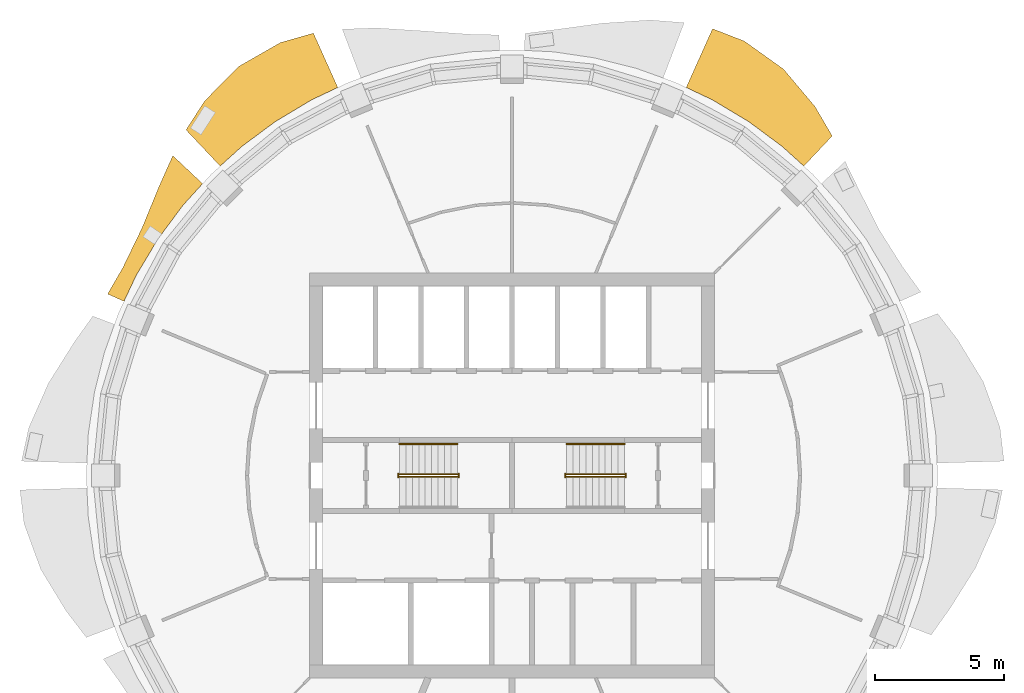
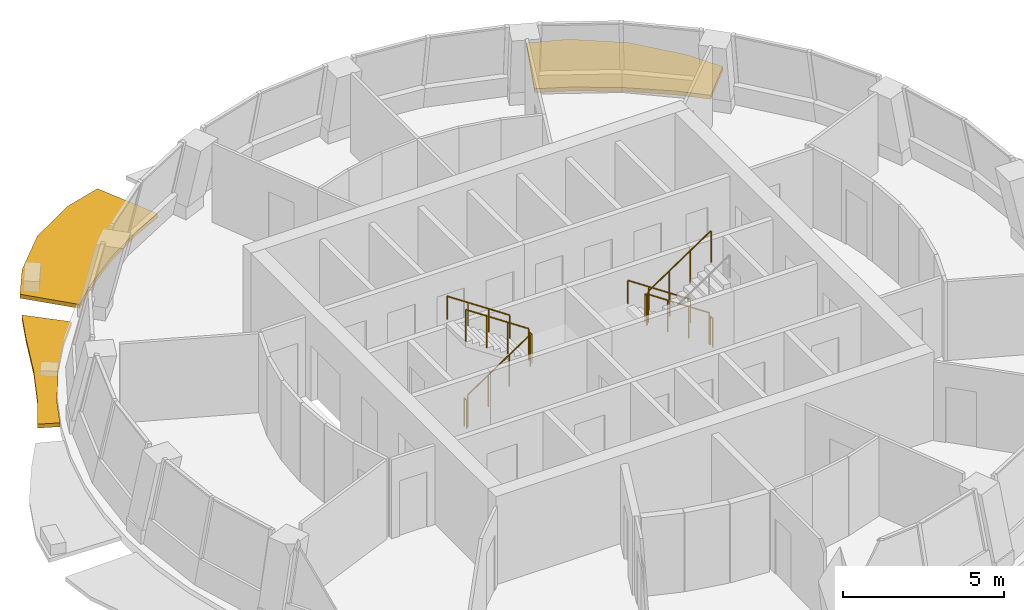
# One storey, part 9 of 11: 10 railings, 3 shading devices.
"""IFC4 building model written with IfcOpenShell, lengths in metres."""

from ifc_helpers import new_model, si_unit, direction, frame, origin, origin_2d, place, context, subcontext, project, spatial, polyline, circle, outline, extrude, material, type_object, element, save


model = new_model("IFC4")

# Units and contexts
model_context = context("Model", 3, precision=1e-05, world=origin(), true_north=direction((0.0, 1.0)))
body_context = subcontext(model_context, "Body", "Model", "MODEL_VIEW")
ifc_project = project(units=[si_unit("LENGTHUNIT", "METRE"), si_unit("AREAUNIT", "SQUARE_METRE"), si_unit("VOLUMEUNIT", "CUBIC_METRE"), si_unit("PLANEANGLEUNIT", "RADIAN"), si_unit("MASSUNIT", "GRAM", prefix="KILO")], contexts=[model_context])

# Site, building, storey
site_placement = place(None, origin())
site = spatial("IfcSite", under=ifc_project, at=site_placement, CompositionType="ELEMENT")
building_placement = place(site_placement, origin())
building = spatial("IfcBuilding", under=site, at=building_placement, Name="Polderwave Tower", CompositionType="ELEMENT")
storey_placement = place(building_placement, frame((0.0, 0.0, 214.449951171875)))
storey = spatial("IfcBuildingStorey", under=building, at=storey_placement, Name="L58", CompositionType="ELEMENT", Elevation=214.449951171875)

# Railings
ifc_material_1 = material(Name="Stainless steel", Category="steel")
railing_type_1 = type_object("IfcRailingType", Name="Stair guard 1100", PredefinedType="GUARDRAIL", material=ifc_material_1)
railing_1_placement = place(storey_placement, frame((-4.3740234375, -0.051025390625, 0.04736328125)))
element("IfcRailing", 1, at=railing_1_placement, inside=storey, type_object=railing_type_1, Name="L58 ST-A stair guard 1", PredefinedType="GUARDRAIL", context=body_context, shape_type="SweptSolid", body=[
    extrude(circle(Radius=0.02392578125, at=origin_2d()), frame((0.0, 0.0, 1.1962890625), z_axis=(0.830758306289, 0.0, 0.556633305266), x_axis=(0.0, 1.0, 0.0)), (0.0, 0.0, 1.0), 2.708251953125),
    extrude(circle(Radius=0.02392578125, at=origin_2d()), origin(), (0.0, 0.0, 1.0), 1.172119140625),
    extrude(circle(Radius=0.02392578125, at=origin_2d()), frame((0.75, 0.0, 0.50244140625)), (0.0, 0.0, 1.0), 1.172119140625),
    extrude(circle(Radius=0.02392578125, at=origin_2d()), frame((1.5, 0.0, 1.005126953125)), (0.0, 0.0, 1.0), 1.172119140625),
    extrude(circle(Radius=0.02392578125, at=origin_2d()), frame((2.25, 0.0, 1.507568359375)), (0.0, 0.0, 1.0), 1.172119140625),
])
railing_2_placement = place(storey_placement, frame((-2.073974609375, -0.074951171875, 1.675048828125)))
element("IfcRailing", 2, at=railing_2_placement, inside=storey, type_object=railing_type_1, Name="L58 ST-A stair guard 2", PredefinedType="GUARDRAIL", context=body_context, shape_type="SweptSolid", body=[
    extrude(circle(Radius=0.02392578125, at=origin_2d()), frame((0.0, 0.0, 1.076171875), z_axis=(0.0, 1.0, 0.0), x_axis=(-1.0, 0.0, 0.0)), (0.0, 0.0, 1.0), 0.14990234375),
    extrude(circle(Radius=0.02099609375, at=origin_2d()), origin(), (0.0, 0.0, 1.0), 1.052001953125),
    extrude(circle(Radius=0.02099609375, at=origin_2d()), frame((0.0, 0.14990234375, 0.0)), (0.0, 0.0, 1.0), 1.052001953125),
])
railing_3_placement = place(storey_placement, frame((-2.1240234375, 0.051025390625, 1.722412109375)))
element("IfcRailing", 3, at=railing_3_placement, inside=storey, type_object=railing_type_1, Name="L58 ST-A stair guard 3", PredefinedType="GUARDRAIL", context=body_context, shape_type="SweptSolid", body=[
    extrude(circle(Radius=0.02392578125, at=origin_2d()), frame((0.0, 0.0, 1.1962890625), z_axis=(-0.830758306289, 0.0, 0.556633305266), x_axis=(0.0, -1.0, 0.0)), (0.0, 0.0, 1.0), 2.708251953125),
    extrude(circle(Radius=0.02392578125, at=origin_2d()), origin(), (0.0, 0.0, 1.0), 1.172119140625),
    extrude(circle(Radius=0.02392578125, at=origin_2d()), frame((-0.75, 0.0, 0.50244140625)), (0.0, 0.0, 1.0), 1.172119140625),
    extrude(circle(Radius=0.02392578125, at=origin_2d()), frame((-1.5, 0.0, 1.005126953125)), (0.0, 0.0, 1.0), 1.172119140625),
    extrude(circle(Radius=0.02392578125, at=origin_2d()), frame((-2.25, 0.0, 1.507568359375)), (0.0, 0.0, 1.0), 1.172119140625),
])
railing_4_placement = place(storey_placement, frame((-4.424072265625, -0.074951171875, 0.0)))
element("IfcRailing", 4, at=railing_4_placement, inside=storey, type_object=railing_type_1, Name="L58 ST-A stair guard 4", PredefinedType="GUARDRAIL", context=body_context, shape_type="SweptSolid", body=[
    extrude(circle(Radius=0.02392578125, at=origin_2d()), frame((0.0, 0.0, 1.076171875), z_axis=(0.0, 1.0, 0.0), x_axis=(-1.0, 0.0, 0.0)), (0.0, 0.0, 1.0), 0.14990234375),
    extrude(circle(Radius=0.02099609375, at=origin_2d()), origin(), (0.0, 0.0, 1.0), 1.052001953125),
    extrude(circle(Radius=0.02099609375, at=origin_2d()), frame((0.0, 0.14990234375, 0.0)), (0.0, 0.0, 1.0), 1.052001953125),
])
railing_5_placement = place(storey_placement, frame((4.3740234375, 0.051025390625, 0.04736328125)))
element("IfcRailing", 5, at=railing_5_placement, inside=storey, type_object=railing_type_1, Name="L58 ST-B stair guard 1", PredefinedType="GUARDRAIL", context=body_context, shape_type="SweptSolid", body=[
    extrude(circle(Radius=0.02392578125, at=origin_2d()), frame((0.0, 0.0, 1.1962890625), z_axis=(-0.830758306289, 0.0, 0.556633305266), x_axis=(0.0, -1.0, 0.0)), (0.0, 0.0, 1.0), 2.708251953125),
    extrude(circle(Radius=0.02392578125, at=origin_2d()), origin(), (0.0, 0.0, 1.0), 1.172119140625),
    extrude(circle(Radius=0.02392578125, at=origin_2d()), frame((-0.75, 0.0, 0.50244140625)), (0.0, 0.0, 1.0), 1.172119140625),
    extrude(circle(Radius=0.02392578125, at=origin_2d()), frame((-1.5, 0.0, 1.005126953125)), (0.0, 0.0, 1.0), 1.172119140625),
    extrude(circle(Radius=0.02392578125, at=origin_2d()), frame((-2.25, 0.0, 1.507568359375)), (0.0, 0.0, 1.0), 1.172119140625),
])
railing_6_placement = place(storey_placement, frame((2.073974609375, 0.074951171875, 1.675048828125)))
element("IfcRailing", 6, at=railing_6_placement, inside=storey, type_object=railing_type_1, Name="L58 ST-B stair guard 2", PredefinedType="GUARDRAIL", context=body_context, shape_type="SweptSolid", body=[
    extrude(circle(Radius=0.02392578125, at=origin_2d()), frame((0.0, 0.0, 1.076171875), z_axis=(0.0, -1.0, 0.0), x_axis=(1.0, 0.0, 0.0)), (0.0, 0.0, 1.0), 0.14990234375),
    extrude(circle(Radius=0.02099609375, at=origin_2d()), origin(), (0.0, 0.0, 1.0), 1.052001953125),
    extrude(circle(Radius=0.02099609375, at=origin_2d()), frame((0.0, -0.14990234375, 0.0)), (0.0, 0.0, 1.0), 1.052001953125),
])
railing_7_placement = place(storey_placement, frame((2.1240234375, -0.051025390625, 1.722412109375)))
element("IfcRailing", 7, at=railing_7_placement, inside=storey, type_object=railing_type_1, Name="L58 ST-B stair guard 3", PredefinedType="GUARDRAIL", context=body_context, shape_type="SweptSolid", body=[
    extrude(circle(Radius=0.02392578125, at=origin_2d()), frame((0.0, 0.0, 1.1962890625), z_axis=(0.830758306289, 0.0, 0.556633305266), x_axis=(0.0, 1.0, 0.0)), (0.0, 0.0, 1.0), 2.708251953125),
    extrude(circle(Radius=0.02392578125, at=origin_2d()), origin(), (0.0, 0.0, 1.0), 1.172119140625),
    extrude(circle(Radius=0.02392578125, at=origin_2d()), frame((0.75, 0.0, 0.50244140625)), (0.0, 0.0, 1.0), 1.172119140625),
    extrude(circle(Radius=0.02392578125, at=origin_2d()), frame((1.5, 0.0, 1.005126953125)), (0.0, 0.0, 1.0), 1.172119140625),
    extrude(circle(Radius=0.02392578125, at=origin_2d()), frame((2.25, 0.0, 1.507568359375)), (0.0, 0.0, 1.0), 1.172119140625),
])
railing_8_placement = place(storey_placement, frame((4.424072265625, 0.074951171875, 0.0)))
element("IfcRailing", 8, at=railing_8_placement, inside=storey, type_object=railing_type_1, Name="L58 ST-B stair guard 4", PredefinedType="GUARDRAIL", context=body_context, shape_type="SweptSolid", body=[
    extrude(circle(Radius=0.02392578125, at=origin_2d()), frame((0.0, 0.0, 1.076171875), z_axis=(0.0, -1.0, 0.0), x_axis=(1.0, 0.0, 0.0)), (0.0, 0.0, 1.0), 0.14990234375),
    extrude(circle(Radius=0.02099609375, at=origin_2d()), origin(), (0.0, 0.0, 1.0), 1.052001953125),
    extrude(circle(Radius=0.02099609375, at=origin_2d()), frame((0.0, -0.14990234375, 0.0)), (0.0, 0.0, 1.0), 1.052001953125),
])
railing_type_2 = type_object("IfcRailingType", Name="Stair handrail 900", PredefinedType="HANDRAIL", material=ifc_material_1)
for number, where, name in (
    (9, (-2.1240234375, 1.22509765625, 1.842529296875), "L58 ST-A stair handrail 2"),
    (10, (4.3740234375, 1.22509765625, 0.16748046875), "L58 ST-B stair handrail 1"),
):
    element("IfcRailing", number, at=place(storey_placement, frame(where)), inside=storey, type_object=railing_type_2, Name=name, PredefinedType="HANDRAIL", context=body_context, shape_type="SweptSolid", body=[
        extrude(circle(Radius=0.02392578125, at=origin_2d()), frame((0.0, 0.0, 0.8759765625), z_axis=(-0.830758306289, 0.0, 0.556633305266), x_axis=(0.0, -1.0, 0.0)), (0.0, 0.0, 1.0), 2.708251953125),
        extrude(circle(Radius=0.02099609375, at=origin_2d()), origin(), (0.0, 0.0, 1.0), 0.851806640625),
        extrude(circle(Radius=0.02099609375, at=origin_2d()), frame((-0.75, 0.0, 0.50244140625)), (0.0, 0.0, 1.0), 0.851806640625),
        extrude(circle(Radius=0.02099609375, at=origin_2d()), frame((-1.5, 0.0, 1.005126953125)), (0.0, 0.0, 1.0), 0.851806640625),
        extrude(circle(Radius=0.02099609375, at=origin_2d()), frame((-2.25, 0.0, 1.507568359375)), (0.0, 0.0, 1.0), 0.851806640625),
    ])

# Shading devices
ifc_material_2 = material(Name="Terracotta", Category="masonry")
shading_device_type = type_object("IfcShadingDeviceType", Name="Terracotta sunshade band", PredefinedType="USERDEFINED", material=ifc_material_2)
shading_device_1_placement = place(storey_placement, frame((0.0, 0.0, -0.349853515625)))
element("IfcShadingDevice", 11, at=shading_device_1_placement, inside=storey, type_object=shading_device_type, Name="Sunshade band L58 3", ObjectType="SUNSHADE", PredefinedType="USERDEFINED", context=body_context, shape_type="SweptSolid", body=[
    extrude(outline(polyline([(11.34375, 12.02783203125), (10.499267578125, 12.793212890625), (9.194580078125, 13.7607421875), (7.801513671875, 14.595703125), (6.77099609375, 15.083251953125), (7.796142578125, 17.36669921875), (9.027099609375, 16.888427734375), (10.5546875, 15.79638671875), (11.77490234375, 14.347900390625), (12.448486328125, 13.198974609375), (11.34375, 12.02783203125)])), origin(), (0.0, 0.0, 1.0), 0.14990234375),
])
shading_device_2_placement = place(storey_placement, frame((0.0, 0.0, -0.349853515625)))
element("IfcShadingDevice", 12, at=shading_device_2_placement, inside=storey, type_object=shading_device_type, Name="Sunshade band L58 6", ObjectType="SUNSHADE", PredefinedType="USERDEFINED", context=body_context, shape_type="SweptSolid", body=[
    extrude(outline(polyline([(-6.77099609375, 15.083251953125), (-7.801513671875, 14.595703125), (-9.194580078125, 13.7607421875), (-10.499267578125, 12.793212890625), (-11.34375, 12.02783203125), (-12.671142578125, 13.435302734375), (-11.94873046875, 14.559814453125), (-10.625, 15.9013671875), (-8.99658203125, 16.83154296875), (-7.718994140625, 17.1943359375), (-6.77099609375, 15.083251953125)])), origin(), (0.0, 0.0, 1.0), 0.14990234375),
])
shading_device_3_placement = place(storey_placement, frame((0.0, 0.0, -0.349853515625)))
element("IfcShadingDevice", 13, at=shading_device_3_placement, inside=storey, type_object=shading_device_type, Name="Sunshade band L58 7", ObjectType="SUNSHADE", PredefinedType="USERDEFINED", context=body_context, shape_type="SweptSolid", body=[
    extrude(outline(polyline([(-12.02783203125, 11.34375), (-12.793212890625, 10.499267578125), (-13.7607421875, 9.194580078125), (-14.595703125, 7.801513671875), (-15.083251953125, 6.77099609375), (-15.718994140625, 7.056640625), (-15.12548828125, 8.084716796875), (-14.385986328125, 9.6123046875), (-13.71240234375, 11.253662109375), (-13.1845703125, 12.434814453125), (-12.02783203125, 11.34375)])), origin(), (0.0, 0.0, 1.0), 0.14990234375),
])

save(model, "model.ifc")
